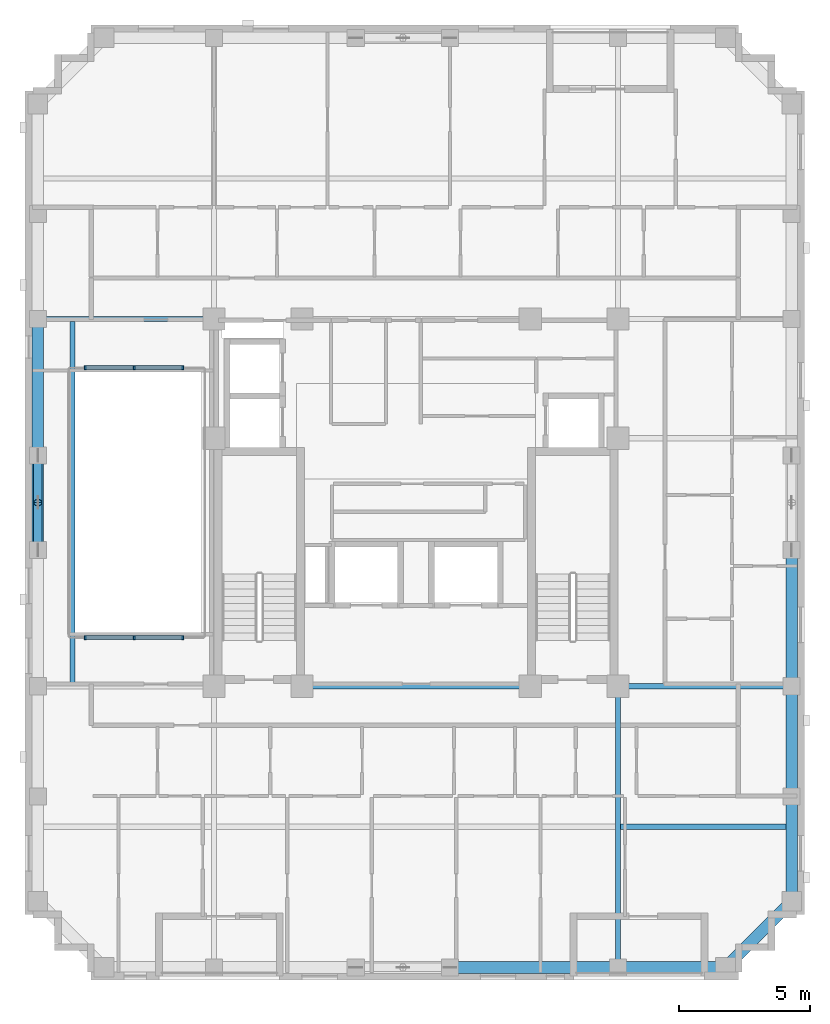
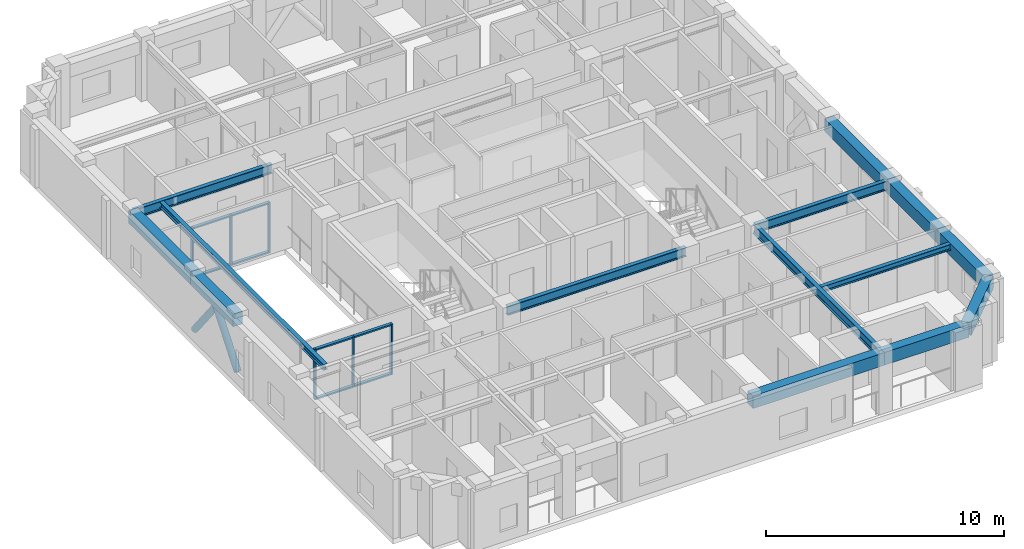
# One storey, part 2 of 13: 16 members, 14 beams, 2 elements without a shape of their own.
"""IFC4 building model written with IfcOpenShell, lengths in metres."""

from ifc_helpers import new_model, si_unit, derived_unit, direction, frame, origin, origin_2d, place, context, subcontext, project, spatial, rectangle, hollow_circle, i_section, extrude, material, material_profile, profile_set, type_object, element, aggregate, save


model = new_model("IFC4")

# Units and contexts
model_context = context("Model", 3, precision=1e-05, world=origin(), true_north=direction((0.0, 1.0)))
body_context = subcontext(model_context, "Body", "Model", "MODEL_VIEW")
ifc_project = project(units=[si_unit("LENGTHUNIT", "METRE"), si_unit("AREAUNIT", "SQUARE_METRE"), si_unit("VOLUMEUNIT", "CUBIC_METRE"), si_unit("PLANEANGLEUNIT", "RADIAN"), si_unit("MASSUNIT", "GRAM", prefix="KILO"), derived_unit("THERMALTRANSMITTANCEUNIT", [(si_unit("MASSUNIT", "GRAM", prefix="KILO"), 1), (si_unit("TIMEUNIT", "SECOND"), -3), (si_unit("THERMODYNAMICTEMPERATUREUNIT", "KELVIN"), -1)])], contexts=[model_context])

# Site, building, storey
site_placement = place(None, origin())
site = spatial("IfcSite", under=ifc_project, at=site_placement, CompositionType="ELEMENT")
building_placement = place(site_placement, origin())
building = spatial("IfcBuilding", under=site, at=building_placement, Name="Korrvale Station Residences", CompositionType="ELEMENT")
storey_placement = place(building_placement, frame((0.0, 0.0, 181.0)))
storey = spatial("IfcBuildingStorey", under=building, at=storey_placement, Name="L52", CompositionType="ELEMENT", Elevation=181.0)

# Beams
ifc_material_1 = material(Name="Steel S355", Category="steel")
ifc_material_profile_1 = material_profile(ifc_material_1, i_section(OverallWidth=0.194091796875, OverallDepth=0.468994140625, WebThickness=0.0126953125, FlangeThickness=0.0205078125, FilletRadius=0.01611328125, at=origin_2d()), Name="W460x106")
ifc_profile_set_1 = profile_set([ifc_material_profile_1], Name="Steel S355")
beam_type_1 = type_object("IfcBeamType", Name="BM-BM-W460x106-S355", PredefinedType="BEAM", material=ifc_profile_set_1)
beam_1_placement = place(storey_placement, frame((33.199951171875, 4.280029296875, 2.805419921875), z_axis=(0.0, 1.0, 0.0), x_axis=(-1.0, 0.0, 0.0)))
element("IfcBeam", 1, at=beam_1_placement, inside=storey, type_object=beam_type_1, Name="L52 Bundled-Tube Web Girder 02", PredefinedType="BEAM", context=body_context, shape_type="SweptSolid", body=[
    extrude(i_section(OverallWidth=0.194091796875, OverallDepth=0.468994140625, WebThickness=0.0126953125, FlangeThickness=0.0205078125, FilletRadius=0.01611328125, at=origin_2d()), origin(), (0.0, 0.0, 1.0), 10.719970703125),
])
beam_2_placement = place(storey_placement, frame((33.199951171875, 15.0, 2.805419921875), z_axis=(1.0, 0.0, 0.0), x_axis=(0.0, 1.0, 0.0)))
element("IfcBeam", 2, at=beam_2_placement, inside=storey, type_object=beam_type_1, Name="L52 Bundled-Tube Web Girder 06", PredefinedType="BEAM", context=body_context, shape_type="SweptSolid", body=[
    extrude(i_section(OverallWidth=0.194091796875, OverallDepth=0.468994140625, WebThickness=0.0126953125, FlangeThickness=0.0205078125, FilletRadius=0.01611328125, at=origin_2d()), origin(), (0.0, 0.0, 1.0), 6.6201171875),
])
beam_3_placement = place(storey_placement, frame((11.080078125, 29.0, 2.805419921875), z_axis=(1.0, 0.0, 0.0), x_axis=(0.0, 1.0, 0.0)))
element("IfcBeam", 3, at=beam_3_placement, inside=storey, type_object=beam_type_1, Name="L52 Bundled-Tube Web Girder 07", PredefinedType="BEAM", context=body_context, shape_type="SweptSolid", body=[
    extrude(i_section(OverallWidth=0.194091796875, OverallDepth=0.468994140625, WebThickness=0.0126953125, FlangeThickness=0.0205078125, FilletRadius=0.01611328125, at=origin_2d()), origin(), (0.0, 0.0, 1.0), 6.719970703125),
])
beam_4_placement = place(storey_placement, frame((21.14990234375, 15.0, 2.805419921875), z_axis=(1.0, 0.0, 0.0), x_axis=(0.0, 1.0, 0.0)))
element("IfcBeam", 4, at=beam_4_placement, inside=storey, type_object=beam_type_1, Name="L52 Bundled-Tube Web Girder 09", PredefinedType="BEAM", context=body_context, shape_type="SweptSolid", body=[
    extrude(i_section(OverallWidth=0.194091796875, OverallDepth=0.468994140625, WebThickness=0.0126953125, FlangeThickness=0.0205078125, FilletRadius=0.01611328125, at=origin_2d()), origin(), (0.0, 0.0, 1.0), 8.7001953125),
])
ifc_material_profile_2 = material_profile(ifc_material_1, i_section(OverallWidth=0.202880859375, OverallDepth=0.302978515625, WebThickness=0.007568359375, FlangeThickness=0.01318359375, FilletRadius=0.014892578125, at=origin_2d()), Name="W310x60")
ifc_profile_set_2 = profile_set([ifc_material_profile_2], Name="Steel S355")
beam_type_2 = type_object("IfcBeamType", Name="BM-JST-W310x60-S355", PredefinedType="JOIST", material=ifc_profile_set_2)
beam_5_placement = place(storey_placement, frame((33.297119140625, 9.639892578125, 2.888427734375), z_axis=(1.0, 0.0, 0.0), x_axis=(0.0, 1.0, 0.0)))
element("IfcBeam", 5, at=beam_5_placement, inside=storey, type_object=beam_type_2, Name="L52 Floor Framing Joist 03", PredefinedType="JOIST", context=body_context, shape_type="SweptSolid", body=[
    extrude(i_section(OverallWidth=0.202880859375, OverallDepth=0.302978515625, WebThickness=0.007568359375, FlangeThickness=0.01318359375, FilletRadius=0.014892578125, at=origin_2d()), origin(), (0.0, 0.0, 1.0), 6.2978515625),
])
beam_6_placement = place(storey_placement, frame((12.39990234375, 15.096923828125, 2.888427734375), z_axis=(0.0, 1.0, 0.0), x_axis=(-1.0, 0.0, 0.0)))
element("IfcBeam", 6, at=beam_6_placement, inside=storey, type_object=beam_type_2, Name="L52 Floor Framing Joist 08", PredefinedType="JOIST", context=body_context, shape_type="SweptSolid", body=[
    extrude(i_section(OverallWidth=0.202880859375, OverallDepth=0.302978515625, WebThickness=0.007568359375, FlangeThickness=0.01318359375, FilletRadius=0.014892578125, at=origin_2d()), origin(), (0.0, 0.0, 1.0), 13.80615234375),
])
ifc_material_2 = material(Name="Concrete C50/60", Category="concrete")
ifc_material_profile_3 = material_profile(ifc_material_2, rectangle(XDim=0.449951171875, YDim=0.64990234375, at=origin_2d()), Name="RCB450x650")
ifc_profile_set_3 = profile_set([ifc_material_profile_3], Name="Concrete C50/60")
beam_type_3 = type_object("IfcBeamType", Name="BM-SPB-RCB450x650-C5060", PredefinedType="SPANDREL", material=ifc_profile_set_3)
beam_7_placement = place(storey_placement, frame((26.800048828125, 4.280029296875, 2.715087890625), z_axis=(1.0, 0.0, 0.0), x_axis=(0.0, 1.0, 0.0)))
element("IfcBeam", 7, at=beam_7_placement, inside=storey, type_object=beam_type_3, Name="L52 South Tube Spandrel 04", PredefinedType="SPANDREL", context=body_context, shape_type="SweptSolid", body=[
    extrude(rectangle(XDim=0.449951171875, YDim=0.64990234375, at=origin_2d()), origin(), (0.0, 0.0, 1.0), 6.39990234375),
])
beam_8_placement = place(storey_placement, frame((33.199951171875, 4.280029296875, 2.715087890625), z_axis=(1.0, 0.0, 0.0), x_axis=(0.0, 1.0, 0.0)))
element("IfcBeam", 8, at=beam_8_placement, inside=storey, type_object=beam_type_3, Name="L52 South Tube Spandrel 05", PredefinedType="SPANDREL", context=body_context, shape_type="SweptSolid", body=[
    extrude(rectangle(XDim=0.449951171875, YDim=0.64990234375, at=origin_2d()), origin(), (0.0, 0.0, 1.0), 4.10009765625),
])
beam_9_placement = place(storey_placement, frame((11.080078125, 20.199951171875, 2.715087890625), z_axis=(0.0, 1.0, 0.0), x_axis=(-1.0, 0.0, 0.0)))
element("IfcBeam", 9, at=beam_9_placement, inside=storey, type_object=beam_type_3, Name="L52 West Tube Spandrel 14", PredefinedType="SPANDREL", context=body_context, shape_type="SweptSolid", body=[
    extrude(rectangle(XDim=0.449951171875, YDim=0.64990234375, at=origin_2d()), origin(), (0.0, 0.0, 1.0), 3.60009765625),
])
beam_10_placement = place(storey_placement, frame((11.080078125, 23.800048828125, 2.715087890625), z_axis=(0.0, 1.0, 0.0), x_axis=(-1.0, 0.0, 0.0)))
element("IfcBeam", 10, at=beam_10_placement, inside=storey, type_object=beam_type_3, Name="L52 West Tube Spandrel 15", PredefinedType="SPANDREL", context=body_context, shape_type="SweptSolid", body=[
    extrude(rectangle(XDim=0.449951171875, YDim=0.64990234375, at=origin_2d()), origin(), (0.0, 0.0, 1.0), 5.199951171875),
])
beam_11_placement = place(storey_placement, frame((39.820068359375, 6.800048828125, 2.715087890625), z_axis=(0.0, 1.0, 0.0), x_axis=(-1.0, 0.0, 0.0)))
element("IfcBeam", 11, at=beam_11_placement, inside=storey, type_object=beam_type_3, Name="L52 East Tube Spandrel 18", PredefinedType="SPANDREL", context=body_context, shape_type="SweptSolid", body=[
    extrude(rectangle(XDim=0.449951171875, YDim=0.64990234375, at=origin_2d()), origin(), (0.0, 0.0, 1.0), 4.0),
])
beam_12_placement = place(storey_placement, frame((39.820068359375, 10.800048828125, 2.715087890625), z_axis=(0.0, 1.0, 0.0), x_axis=(-1.0, 0.0, 0.0)))
element("IfcBeam", 12, at=beam_12_placement, inside=storey, type_object=beam_type_3, Name="L52 East Tube Spandrel 19", PredefinedType="SPANDREL", context=body_context, shape_type="SweptSolid", body=[
    extrude(rectangle(XDim=0.449951171875, YDim=0.64990234375, at=origin_2d()), origin(), (0.0, 0.0, 1.0), 4.199951171875),
])
beam_13_placement = place(storey_placement, frame((39.820068359375, 15.0, 2.715087890625), z_axis=(0.0, 1.0, 0.0), x_axis=(-1.0, 0.0, 0.0)))
element("IfcBeam", 13, at=beam_13_placement, inside=storey, type_object=beam_type_3, Name="L52 East Tube Spandrel 20", PredefinedType="SPANDREL", context=body_context, shape_type="SweptSolid", body=[
    extrude(rectangle(XDim=0.449951171875, YDim=0.64990234375, at=origin_2d()), origin(), (0.0, 0.0, 1.0), 5.199951171875),
])
beam_14_placement = place(storey_placement, frame((37.300048828125, 4.280029296875, 2.715087890625), z_axis=(0.707106781187, 0.707106781187, 0.0), x_axis=(-0.707106781187, 0.707106781187, 0.0)))
element("IfcBeam", 14, at=beam_14_placement, inside=storey, type_object=beam_type_3, Name="L52 Serrated Corner Spandrel 26", PredefinedType="SPANDREL", context=body_context, shape_type="SweptSolid", body=[
    extrude(rectangle(XDim=0.449951171875, YDim=0.64990234375, at=origin_2d()), origin(), (0.0, 0.0, 1.0), 3.56396484375),
])

# Curtain wall, members
ifc_material_3 = material(Name="Unitised thermally broken aluminium curtain wall with triple low-e IGU", Category="aluminium")
curtain_wall_type = type_object("IfcCurtainWallType", Name="CW-ATR-UPP", PredefinedType="NOTDEFINED", material=ifc_material_3)
curtain_wall_1_placement = place(storey_placement, origin())
curtain_wall_1 = element("IfcCurtainWall", 15, at=curtain_wall_1_placement, inside=storey, type_object=curtain_wall_type, Name="L52 Curtain Wall CW5-RUN-3", PredefinedType="NOTDEFINED")
ifc_material_4 = material(Name="Extruded thermally broken aluminium mullion", Category="aluminium")
member_type_1 = type_object("IfcMemberType", Name="CW-ATR-UPP-M", PredefinedType="MULLION", material=ifc_material_4)
member_1_placement = place(storey_placement, frame((12.887451171875, 16.85009765625, 0.0), z_axis=(0.0, 0.0, 1.0), x_axis=(1.0, 0.0, 0.0)))
member_1 = element("IfcMember", 16, at=member_1_placement, type_object=member_type_1, Name="CW-ATR-UPP Mullion 1", PredefinedType="MULLION", context=body_context, shape_type="SweptSolid", body=[
    extrude(rectangle(XDim=0.074951171875, YDim=0.155029296875, at=origin_2d()), origin(), (0.0, 0.0, 1.0), 2.60009765625),
])
member_2_placement = place(storey_placement, frame((14.75, 16.85009765625, 0.0), z_axis=(0.0, 0.0, 1.0), x_axis=(1.0, 0.0, 0.0)))
member_2 = element("IfcMember", 17, at=member_2_placement, type_object=member_type_1, Name="CW-ATR-UPP Mullion 2", PredefinedType="MULLION", context=body_context, shape_type="SweptSolid", body=[
    extrude(rectangle(XDim=0.074951171875, YDim=0.155029296875, at=origin_2d()), origin(), (0.0, 0.0, 1.0), 2.60009765625),
])
member_3_placement = place(storey_placement, frame((16.612548828125, 16.85009765625, 0.0), z_axis=(0.0, 0.0, 1.0), x_axis=(1.0, 0.0, 0.0)))
member_3 = element("IfcMember", 18, at=member_3_placement, type_object=member_type_1, Name="CW-ATR-UPP Mullion 3", PredefinedType="MULLION", context=body_context, shape_type="SweptSolid", body=[
    extrude(rectangle(XDim=0.074951171875, YDim=0.155029296875, at=origin_2d()), origin(), (0.0, 0.0, 1.0), 2.60009765625),
])

curtain_wall_2_placement = place(storey_placement, origin())
curtain_wall_2 = element("IfcCurtainWall", 19, at=curtain_wall_2_placement, inside=storey, type_object=curtain_wall_type, Name="L52 Curtain Wall CW5-RUN-4", PredefinedType="NOTDEFINED")
member_4_placement = place(storey_placement, frame((12.887451171875, 27.14990234375, 0.0), z_axis=(0.0, 0.0, 1.0), x_axis=(1.0, 0.0, 0.0)))
member_4 = element("IfcMember", 20, at=member_4_placement, type_object=member_type_1, Name="CW-ATR-UPP Mullion 1", PredefinedType="MULLION", context=body_context, shape_type="SweptSolid", body=[
    extrude(rectangle(XDim=0.074951171875, YDim=0.155029296875, at=origin_2d()), origin(), (0.0, 0.0, 1.0), 2.60009765625),
])
member_5_placement = place(storey_placement, frame((14.75, 27.14990234375, 0.0), z_axis=(0.0, 0.0, 1.0), x_axis=(1.0, 0.0, 0.0)))
member_5 = element("IfcMember", 21, at=member_5_placement, type_object=member_type_1, Name="CW-ATR-UPP Mullion 2", PredefinedType="MULLION", context=body_context, shape_type="SweptSolid", body=[
    extrude(rectangle(XDim=0.074951171875, YDim=0.155029296875, at=origin_2d()), origin(), (0.0, 0.0, 1.0), 2.60009765625),
])
member_6_placement = place(storey_placement, frame((16.612548828125, 27.14990234375, 0.0), z_axis=(0.0, 0.0, 1.0), x_axis=(1.0, 0.0, 0.0)))
member_6 = element("IfcMember", 22, at=member_6_placement, type_object=member_type_1, Name="CW-ATR-UPP Mullion 3", PredefinedType="MULLION", context=body_context, shape_type="SweptSolid", body=[
    extrude(rectangle(XDim=0.074951171875, YDim=0.155029296875, at=origin_2d()), origin(), (0.0, 0.0, 1.0), 2.60009765625),
])

# Member
ifc_material_5 = material(Name="Extruded thermally broken aluminium transom", Category="aluminium")
member_type_2 = type_object("IfcMemberType", Name="CW-ATR-UPP-T", PredefinedType="USERDEFINED", material=ifc_material_5)
member_7_placement = place(storey_placement, frame((13.800048828125, 16.85009765625, 0.0), z_axis=(0.0, 0.0, 1.0), x_axis=(1.0, 0.0, 0.0)))
member_7 = element("IfcMember", 23, at=member_7_placement, type_object=member_type_2, Name="CW-ATR-UPP Transom 1-1", ObjectType="TRANSOM", PredefinedType="USERDEFINED", context=body_context, shape_type="SweptSolid", body=[
    extrude(rectangle(XDim=1.824951171875, YDim=0.155029296875, at=origin_2d()), origin(), (0.0, 0.0, 1.0), 0.074951171875),
])

member_8_placement = place(storey_placement, frame((13.800048828125, 16.85009765625, 2.52490234375), z_axis=(0.0, 0.0, 1.0), x_axis=(1.0, 0.0, 0.0)))
member_8 = element("IfcMember", 24, at=member_8_placement, type_object=member_type_2, Name="CW-ATR-UPP Transom 1-2", ObjectType="TRANSOM", PredefinedType="USERDEFINED", context=body_context, shape_type="SweptSolid", body=[
    extrude(rectangle(XDim=1.824951171875, YDim=0.155029296875, at=origin_2d()), origin(), (0.0, 0.0, 1.0), 0.074951171875),
])

member_9_placement = place(storey_placement, frame((15.699951171875, 16.85009765625, 0.0), z_axis=(0.0, 0.0, 1.0), x_axis=(1.0, 0.0, 0.0)))
member_9 = element("IfcMember", 25, at=member_9_placement, type_object=member_type_2, Name="CW-ATR-UPP Transom 2-1", ObjectType="TRANSOM", PredefinedType="USERDEFINED", context=body_context, shape_type="SweptSolid", body=[
    extrude(rectangle(XDim=1.824951171875, YDim=0.155029296875, at=origin_2d()), origin(), (0.0, 0.0, 1.0), 0.074951171875),
])

member_10_placement = place(storey_placement, frame((15.699951171875, 16.85009765625, 2.52490234375), z_axis=(0.0, 0.0, 1.0), x_axis=(1.0, 0.0, 0.0)))
member_10 = element("IfcMember", 26, at=member_10_placement, type_object=member_type_2, Name="CW-ATR-UPP Transom 2-2", ObjectType="TRANSOM", PredefinedType="USERDEFINED", context=body_context, shape_type="SweptSolid", body=[
    extrude(rectangle(XDim=1.824951171875, YDim=0.155029296875, at=origin_2d()), origin(), (0.0, 0.0, 1.0), 0.074951171875),
])

aggregate(curtain_wall_1, [member_1, member_2, member_3, member_7, member_8, member_9, member_10])

member_11_placement = place(storey_placement, frame((13.800048828125, 27.14990234375, 0.0), z_axis=(0.0, 0.0, 1.0), x_axis=(1.0, 0.0, 0.0)))
member_11 = element("IfcMember", 27, at=member_11_placement, type_object=member_type_2, Name="CW-ATR-UPP Transom 1-1", ObjectType="TRANSOM", PredefinedType="USERDEFINED", context=body_context, shape_type="SweptSolid", body=[
    extrude(rectangle(XDim=1.824951171875, YDim=0.155029296875, at=origin_2d()), origin(), (0.0, 0.0, 1.0), 0.074951171875),
])

member_12_placement = place(storey_placement, frame((13.800048828125, 27.14990234375, 2.52490234375), z_axis=(0.0, 0.0, 1.0), x_axis=(1.0, 0.0, 0.0)))
member_12 = element("IfcMember", 28, at=member_12_placement, type_object=member_type_2, Name="CW-ATR-UPP Transom 1-2", ObjectType="TRANSOM", PredefinedType="USERDEFINED", context=body_context, shape_type="SweptSolid", body=[
    extrude(rectangle(XDim=1.824951171875, YDim=0.155029296875, at=origin_2d()), origin(), (0.0, 0.0, 1.0), 0.074951171875),
])

member_13_placement = place(storey_placement, frame((15.699951171875, 27.14990234375, 0.0), z_axis=(0.0, 0.0, 1.0), x_axis=(1.0, 0.0, 0.0)))
member_13 = element("IfcMember", 29, at=member_13_placement, type_object=member_type_2, Name="CW-ATR-UPP Transom 2-1", ObjectType="TRANSOM", PredefinedType="USERDEFINED", context=body_context, shape_type="SweptSolid", body=[
    extrude(rectangle(XDim=1.824951171875, YDim=0.155029296875, at=origin_2d()), origin(), (0.0, 0.0, 1.0), 0.074951171875),
])

member_14_placement = place(storey_placement, frame((15.699951171875, 27.14990234375, 2.52490234375), z_axis=(0.0, 0.0, 1.0), x_axis=(1.0, 0.0, 0.0)))
member_14 = element("IfcMember", 30, at=member_14_placement, type_object=member_type_2, Name="CW-ATR-UPP Transom 2-2", ObjectType="TRANSOM", PredefinedType="USERDEFINED", context=body_context, shape_type="SweptSolid", body=[
    extrude(rectangle(XDim=1.824951171875, YDim=0.155029296875, at=origin_2d()), origin(), (0.0, 0.0, 1.0), 0.074951171875),
])

aggregate(curtain_wall_2, [member_4, member_5, member_6, member_11, member_12, member_13, member_14])

# Members
ifc_material_profile_4 = material_profile(ifc_material_1, hollow_circle(Radius=0.161865234375, WallThickness=0.015869140625, at=origin_2d()), Name="HSS324x16")
ifc_profile_set_4 = profile_set([ifc_material_profile_4], Name="Steel S355")
member_type_3 = type_object("IfcMemberType", Name="MBR-BR-HSS324x16", PredefinedType="BRACE", material=ifc_profile_set_4)
for number, where, z_axis, x_axis, name in (
    (31, (11.080078125, 20.199951171875, 0.02001953125), (0.0, 0.617977009695, 0.786196168579), (-1.0, 0.0, 0.0), "L52 W Perimeter Tube Wind Brace 1"),
    (32, (11.080078125, 23.800048828125, 0.02001953125), (0.0, -0.617977009695, 0.786196168579), (1.0, 0.0, 0.0), "L52 W Perimeter Tube Wind Brace 2"),
):
    element("IfcMember", number, at=place(storey_placement, frame(where, z_axis=z_axis, x_axis=x_axis)), inside=storey, type_object=member_type_3, Name=name, PredefinedType="BRACE", context=body_context, shape_type="SweptSolid", body=[
        extrude(hollow_circle(Radius=0.161865234375, WallThickness=0.015869140625, at=origin_2d()), origin(), (0.0, 0.0, 1.0), 2.912841796875),
    ])

save(model, "model.ifc")
